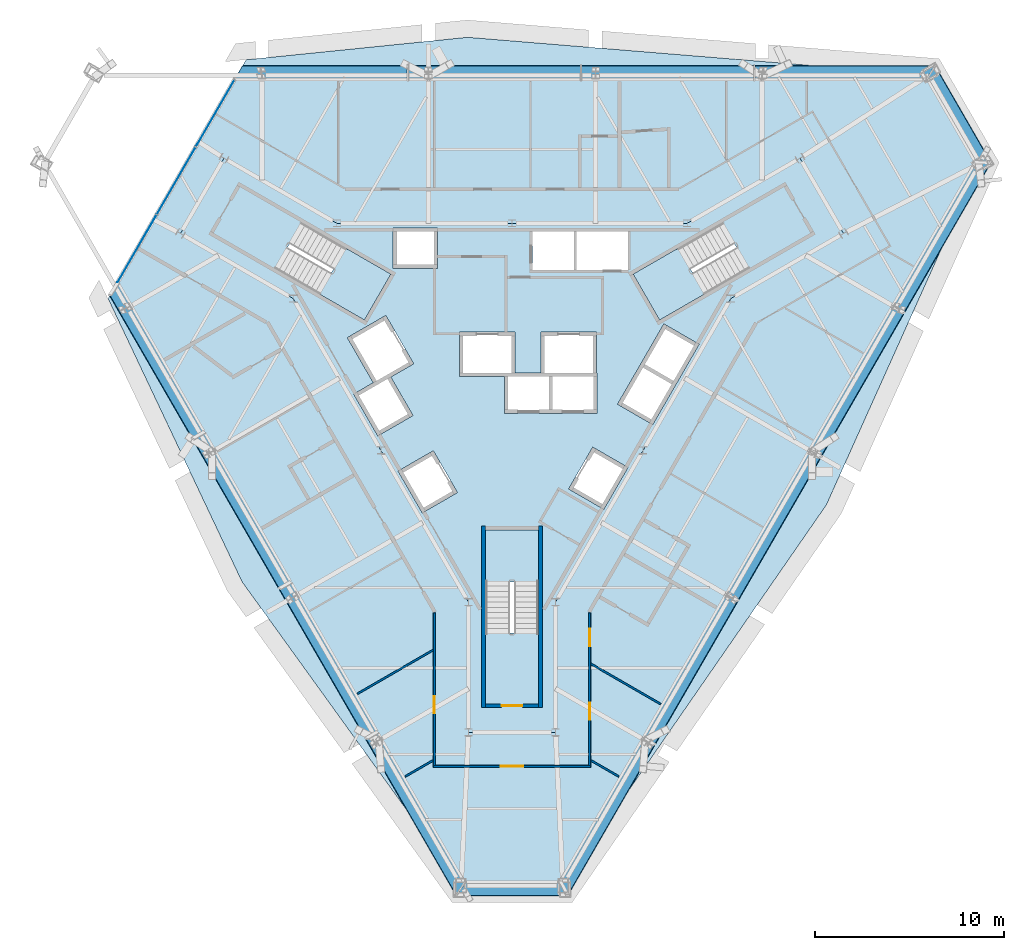
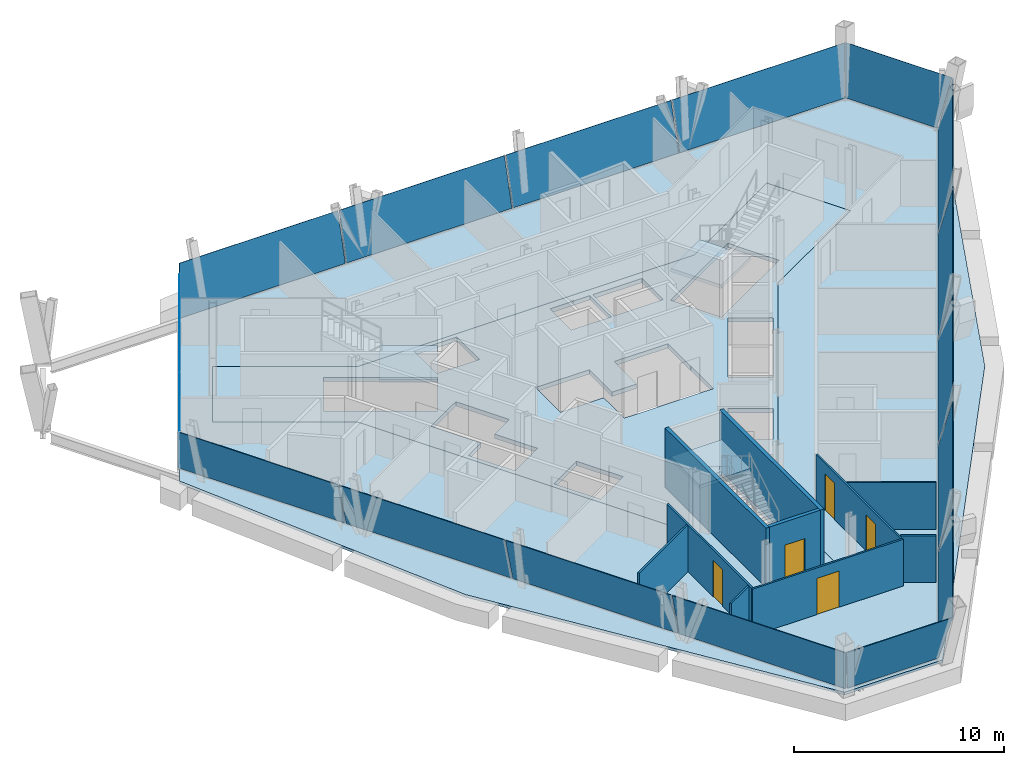
# One storey, part 6 of 11: 18 plates, 10 walls, 5 doors, 5 slabs, 5 openings, 9 elements without a shape of their own.
"""IFC4 building model written with IfcOpenShell, lengths in metres."""

import ifcopenshell
import ifcopenshell.guid

model = None  # the IFC model being written
_history = None  # IfcOwnerHistory: only IFC2X3 demands one
_inside = {}  # id of a spatial element -> (the spatial element, [elements in it])
_under = {}  # id of a project, library or spatial element -> (it, [spatial elements below it])
_declared = {}  # id of a project -> (the project, [libraries it declares])
_typed = {}  # id of a type object -> (the type object, [elements of that type])
_made_of = {}  # id of a material, layer set ... -> (it, [elements and type objects made of it])


def new_model(schema):
    """Start an empty IFC model of exactly this schema.

    Asked for "IFC4X3", IfcOpenShell would pick the latest addendum, in which some entities
    have other attributes; the version numbers below select the first issue.
    IFC2X3 requires an IfcOwnerHistory on every rooted entity: one is made here for all.
    """
    global model, _history
    if schema == "IFC4X3":
        model = ifcopenshell.file(schema_version=(4, 3, 0, 0))
    else:
        model = ifcopenshell.file(schema=schema)
    _inside.clear()
    _under.clear()
    _declared.clear()
    _typed.clear()
    _made_of.clear()
    _history = None
    if model.schema == "IFC2X3":
        org = make("IfcOrganization", Name="unknown")
        user = make(
            "IfcPersonAndOrganization",
            ThePerson=make("IfcPerson", FamilyName="unknown"),
            TheOrganization=org,
        )
        app = make(
            "IfcApplication",
            ApplicationDeveloper=org,
            Version="unknown",
            ApplicationFullName="unknown",
            ApplicationIdentifier="unknown",
        )
        _history = make(
            "IfcOwnerHistory",
            OwningUser=user,
            OwningApplication=app,
            ChangeAction="ADDED",
            CreationDate=0,
        )
    return model


def make(cls, **values):
    """One entity of the class cls with the attributes given. An attribute that is None is left unset."""
    return model.create_entity(
        cls, **{name: value for name, value in values.items() if value is not None}
    )


def rooted(cls, **values):
    """An entity with a GlobalId (a new one), such as an element, a storey or a relation."""
    return make(cls, GlobalId=ifcopenshell.guid.new(), OwnerHistory=_history, **values)


def si_unit(unit_type, name, prefix=None):
    """IfcSIUnit, for example si_unit("LENGTHUNIT", "METRE", prefix="MILLI")."""
    return make("IfcSIUnit", UnitType=unit_type, Prefix=prefix, Name=name)


def assignment(units):
    """IfcUnitAssignment: the units of a project."""
    return None if units is None else make("IfcUnitAssignment", Units=units)


def point(xyz):
    """IfcCartesianPoint."""
    return None if xyz is None else make("IfcCartesianPoint", Coordinates=xyz)


def direction(xyz):
    """IfcDirection."""
    return None if xyz is None else make("IfcDirection", DirectionRatios=xyz)


def frame(location, z_axis=None, x_axis=None):
    """IfcAxis2Placement3D, a coordinate frame: its origin and axes. An axis left out is left unset."""
    return make(
        "IfcAxis2Placement3D",
        Location=point(location),
        Axis=direction(z_axis),
        RefDirection=direction(x_axis),
    )


def frame_2d(location, x_axis=None):
    """IfcAxis2Placement2D, a coordinate frame in the plane: its origin and x axis."""
    return make(
        "IfcAxis2Placement2D", Location=point(location), RefDirection=direction(x_axis)
    )


def origin():
    """The frame at (0, 0, 0) with its axes left unset."""
    return frame((0.0, 0.0, 0.0))


def origin_2d():
    """The frame at (0, 0) in the plane with its x axis left unset."""
    return frame_2d((0.0, 0.0))


def place(relative_to, where):
    """IfcLocalPlacement: puts the frame where relative to a parent placement (None: the world)."""
    return make(
        "IfcLocalPlacement", PlacementRelTo=relative_to, RelativePlacement=where
    )


def context(
    kind, dimensions, precision=None, world=None, true_north=None, identifier=None
):
    """IfcGeometricRepresentationContext, for example the 3D "Model" context."""
    return make(
        "IfcGeometricRepresentationContext",
        ContextIdentifier=identifier,
        ContextType=kind,
        CoordinateSpaceDimension=dimensions,
        Precision=precision,
        WorldCoordinateSystem=world,
        TrueNorth=true_north,
    )


def subcontext(parent, identifier, kind, view, scale=None):
    """IfcGeometricRepresentationSubContext, for example "Body" below "Model"."""
    return make(
        "IfcGeometricRepresentationSubContext",
        ContextIdentifier=identifier,
        ContextType=kind,
        ParentContext=parent,
        TargetScale=scale,
        TargetView=view,
    )


def project(units=None, contexts=None):
    """IfcProject with its units and contexts."""
    return rooted(
        "IfcProject",
        Name="project",
        RepresentationContexts=contexts,
        UnitsInContext=assignment(units),
    )


def spatial(cls, under=None, at=None, **own):
    """A site, building, storey or space (cls), placed at a placement, below another one or the project."""
    s = rooted(cls, ObjectPlacement=at, **own)
    if under is not None:
        _under.setdefault(under.id(), (under, []))[1].append(s)
    return s


def polyline(points):
    """IfcPolyline through the points."""
    return make("IfcPolyline", Points=[point(p) for p in points])


def profile(cls, at=None, kind="AREA", **sizes):
    """A parametric profile (cls). Its sizes go by their IFC names, for example OverallWidth=200.0."""
    return make(cls, ProfileType=kind, Position=at, **sizes)


def rectangle(**sizes):
    """IfcRectangleProfileDef."""
    return profile("IfcRectangleProfileDef", **sizes)


def outline(outer, holes=None, kind="AREA"):
    """IfcArbitraryClosedProfileDef: a profile drawn as a closed curve; with holes, ...WithVoids."""
    if holes is None:
        return make("IfcArbitraryClosedProfileDef", ProfileType=kind, OuterCurve=outer)
    return make(
        "IfcArbitraryProfileDefWithVoids",
        ProfileType=kind,
        OuterCurve=outer,
        InnerCurves=holes,
    )


def extrude(swept, where, along, depth):
    """IfcExtrudedAreaSolid: the profile swept, set in the frame where, extruded along a direction by depth."""
    return make(
        "IfcExtrudedAreaSolid",
        SweptArea=swept,
        Position=where,
        ExtrudedDirection=direction(along),
        Depth=depth,
    )


def shape(context_of_items, identifier, shape_type, items):
    """IfcShapeRepresentation: the items that make up one representation, for example the "Body"."""
    return make(
        "IfcShapeRepresentation",
        ContextOfItems=context_of_items,
        RepresentationIdentifier=identifier,
        RepresentationType=shape_type,
        Items=items,
    )


def material(Name=None, Category=None):
    """IfcMaterial."""
    return make("IfcMaterial", Name=Name, Category=Category)


def layer(
    of_material, thickness, ventilated=None, Name=None, Category=None, Priority=None
):
    """IfcMaterialLayer: one layer of a wall or slab, of a material (None: an air gap)."""
    return make(
        "IfcMaterialLayer",
        Material=of_material,
        LayerThickness=thickness,
        IsVentilated=ventilated,
        Name=Name,
        Category=Category,
        Priority=Priority,
    )


def layer_set(layers, Name=None):
    """IfcMaterialLayerSet."""
    return make("IfcMaterialLayerSet", MaterialLayers=layers, LayerSetName=Name)


def made_of(thing, what):
    """Note that an element or type object is made of a material, layer set ...; save() writes the relation."""
    if what is not None:
        _made_of.setdefault(what.id(), (what, []))[1].append(thing)
    return thing


def type_object(cls, material=None, **own):
    """A type object (cls), such as IfcWallType, which elements share."""
    return made_of(rooted(cls, **own), material)


def element(
    cls,
    number,
    at=None,
    inside=None,
    cuts=None,
    type_object=None,
    material=None,
    context=None,
    identifier="Body",
    shape_type=None,
    held_by="IfcProductDefinitionShape",
    body=None,
    shapes=None,
    **own,
):
    """One element of the class cls, such as IfcWall. Its Tag is "e" and its number.

    at: its placement. inside: the storey or other place that contains it. cuts: it is an
    opening in that element (IfcRelVoidsElement). A single representation is given by context,
    identifier, shape_type and body (its items); several are given by shapes. held_by: the class
    of the entity that holds the representations. save() writes the other relations.
    """
    e = rooted(cls, Tag="e%d" % number, ObjectPlacement=at, **own)
    if body is not None:
        shapes = [shape(context, identifier, shape_type, body)]
    if shapes is not None:
        e.Representation = make(held_by, Representations=shapes)
    if inside is not None:
        _inside.setdefault(inside.id(), (inside, []))[1].append(e)
    if cuts is not None:
        rooted(
            "IfcRelVoidsElement", RelatingBuildingElement=cuts, RelatedOpeningElement=e
        )
    if type_object is not None:
        _typed.setdefault(type_object.id(), (type_object, []))[1].append(e)
    return made_of(e, material)


def fill(opening, filler):
    """IfcRelFillsElement: the door or window that sits in an opening."""
    return rooted(
        "IfcRelFillsElement",
        RelatingOpeningElement=opening,
        RelatedBuildingElement=filler,
    )


def aggregate(whole, parts):
    """IfcRelAggregates: a whole, such as a stair, and the parts it consists of."""
    return rooted("IfcRelAggregates", RelatingObject=whole, RelatedObjects=parts)


def save(model, path):
    """Write the relations noted so far, then the file.

    IfcRelAggregates (storeys below a building ...), IfcRelContainedInSpatialStructure (elements
    in a storey), IfcRelDefinesByType, IfcRelAssociatesMaterial and IfcRelDeclares: one each for
    every whole, place, type object, material and project.
    """
    for whole, parts in _under.values():
        aggregate(whole, parts)
    for where, things in _inside.values():
        rooted(
            "IfcRelContainedInSpatialStructure",
            RelatedElements=things,
            RelatingStructure=where,
        )
    for kind, things in _typed.values():
        rooted("IfcRelDefinesByType", RelatedObjects=things, RelatingType=kind)
    for what, things in _made_of.values():
        rooted("IfcRelAssociatesMaterial", RelatedObjects=things, RelatingMaterial=what)
    for by, libraries in _declared.values():
        rooted("IfcRelDeclares", RelatingContext=by, RelatedDefinitions=libraries)
    model.write(path)


model = new_model("IFC4")

# Units and contexts
model_context = context("Model", 3, precision=1e-05, world=origin(), true_north=direction((0.0, 1.0)))
body_context = subcontext(model_context, "Body", "Model", "MODEL_VIEW")
ifc_project = project(units=[si_unit("LENGTHUNIT", "METRE"), si_unit("AREAUNIT", "SQUARE_METRE"), si_unit("VOLUMEUNIT", "CUBIC_METRE"), si_unit("PLANEANGLEUNIT", "RADIAN"), si_unit("MASSUNIT", "GRAM", prefix="KILO")], contexts=[model_context])

# Site, building, storey
site_placement = place(None, origin())
site = spatial("IfcSite", under=ifc_project, at=site_placement, CompositionType="ELEMENT")
building_placement = place(site_placement, origin())
building = spatial("IfcBuilding", under=site, at=building_placement, Name="Verrane Prism Tower", CompositionType="ELEMENT")
storey_placement = place(building_placement, frame((0.0, 0.0, 232.300048828125)))
storey = spatial("IfcBuildingStorey", under=building, at=storey_placement, Name="L58", CompositionType="ELEMENT", Elevation=232.300048828125)

# Slabs
ifc_material_1 = material(Name="Concrete C35/45", Category="concrete")
ifc_layer_1 = layer(ifc_material_1, 0.159912109375)
ifc_layer_set_1 = layer_set([ifc_layer_1], Name="Composite floor slab")
slab_type_1 = type_object("IfcSlabType", Name="Composite floor slab", PredefinedType="FLOOR", material=ifc_layer_set_1)
slab_1_placement = place(storey_placement, frame((0.0, 0.0, -0.16015625)))
element("IfcSlab", 1, at=slab_1_placement, inside=storey, type_object=slab_type_1, Name="Floor slab L58", PredefinedType="FLOOR", context=body_context, shape_type="SweptSolid", body=[
    extrude(outline(polyline([(-2.349609375, 17.830078125), (22.0283203125, 15.830078125), (24.723388671875, 11.162109375), (16.6162109375, -6.880126953125), (2.695068359375, -26.9921875), (-2.695068359375, -26.9921875), (-14.266357421875, -10.949951171875), (-21.34375, 4.015625), (-14.054931640625, 16.640380859375), (-2.349609375, 17.830078125)]), holes=[polyline([(17.52001953125, 7.4599609375), (15.219970703125, 11.43994140625), (9.260009765625, 8.0), (0.0, 8.0), (-9.260009765625, 8.0), (-15.219970703125, 11.43994140625), (-17.52001953125, 7.4599609375), (-11.56005859375, 4.02001953125), (-6.929931640625, -4.0), (-2.300048828125, -12.02001953125), (-2.300048828125, -18.89990234375), (2.300048828125, -18.89990234375), (2.300048828125, -12.02001953125), (6.929931640625, -4.0), (11.56005859375, 4.02001953125), (17.52001953125, 7.4599609375)])]), origin(), (0.0, 0.0, 1.0), 0.16015625),
])
ifc_material_2 = material(Name="Concrete C40/50", Category="concrete")
ifc_layer_2 = layer(ifc_material_2, 0.25)
ifc_layer_set_2 = layer_set([ifc_layer_2], Name="Core floor slab 250 concrete C40/50")
slab_type_2 = type_object("IfcSlabType", Name="Core floor slab 250 concrete C40/50", PredefinedType="FLOOR", material=ifc_layer_set_2)
slab_2_placement = place(storey_placement, frame((0.0, 0.0, -0.25)))
element("IfcSlab", 2, at=slab_2_placement, inside=storey, type_object=slab_type_2, Name="Core floor L58", PredefinedType="FLOOR", context=body_context, shape_type="SweptSolid", body=[
    extrude(outline(polyline([(11.56005859375, 4.02001953125), (17.52001953125, 7.4599609375), (15.219970703125, 11.43994140625), (9.260009765625, 8.0), (0.0, 8.0), (-9.260009765625, 8.0), (-15.219970703125, 11.43994140625), (-17.52001953125, 7.4599609375), (-11.56005859375, 4.02001953125), (-6.929931640625, -4.0), (-2.300048828125, -12.02001953125), (-2.300048828125, -18.89990234375), (2.300048828125, -18.89990234375), (2.300048828125, -12.02001953125), (6.929931640625, -4.0), (11.56005859375, 4.02001953125)]), holes=[polyline([(1.39990234375, -8.199951171875), (1.39990234375, -13.639892578125), (-1.39990234375, -13.639892578125), (-1.39990234375, -8.199951171875), (1.39990234375, -8.199951171875)]), polyline([(-2.881103515625, -6.22998046875), (-4.742919921875, -7.304931640625), (-6.01806640625, -5.096923828125), (-4.156005859375, -4.02197265625), (-2.881103515625, -6.22998046875)]), polyline([(-7.801025390625, 2.887939453125), (-12.512939453125, 5.60791015625), (-11.113037109375, 8.031982421875), (-6.40087890625, 5.31201171875), (-7.801025390625, 2.887939453125)]), polyline([(-6.284912109375, 5.610107421875), (-6.284912109375, 7.760009765625), (-3.93505859375, 7.760009765625), (-3.93505859375, 5.610107421875), (-6.284912109375, 5.610107421875)]), polyline([(4.26611328125, -3.8310546875), (6.1279296875, -4.906005859375), (4.85302734375, -7.114990234375), (2.990966796875, -6.0400390625), (4.26611328125, -3.8310546875)]), polyline([(7.43798828125, -2.636962890625), (5.575927734375, -1.56201171875), (8.02587890625, 2.680908203125), (9.887939453125, 1.60595703125), (7.43798828125, -2.636962890625)]), polyline([(0.1650390625, 0.10009765625), (1.52490234375, 0.10009765625), (1.52490234375, 2.25), (4.47509765625, 2.25), (4.47509765625, 0.10009765625), (4.4951171875, 0.10009765625), (4.4951171875, -2.050048828125), (-0.405029296875, -2.050048828125), (-0.405029296875, -0.10009765625), (-2.784912109375, -0.10009765625), (-2.784912109375, 2.25), (0.1650390625, 2.25), (0.1650390625, 0.10009765625)]), polyline([(6.40087890625, 5.31201171875), (11.113037109375, 8.031982421875), (12.512939453125, 5.60791015625), (7.801025390625, 2.887939453125), (6.40087890625, 5.31201171875)]), polyline([(1.074951171875, 5.534912109375), (1.074951171875, 7.56005859375), (3.264892578125, 7.56005859375), (3.264892578125, 5.534912109375), (1.074951171875, 5.534912109375)]), polyline([(3.4150390625, 7.56005859375), (6.125, 7.56005859375), (6.125, 5.534912109375), (3.4150390625, 5.534912109375), (3.4150390625, 7.56005859375)]), polyline([(-5.23095703125, -2.159912109375), (-7.093017578125, -3.235107421875), (-8.367919921875, -1.02587890625), (-7.3291015625, -0.426025390625), (-8.7041015625, 1.955078125), (-6.66796875, 3.1298828125), (-5.193115234375, 0.574951171875), (-6.406005859375, -0.125), (-5.23095703125, -2.159912109375)])]), origin(), (0.0, 0.0, 1.0), 0.25),
])

# Curtain wall, plates
ifc_material_3 = material(Name="Aluminium framed insulated glazing", Category="aluminium")
curtain_wall_type_1 = type_object("IfcCurtainWallType", Name="Curtain wall CW-C 4200 module", PredefinedType="NOTDEFINED", material=ifc_material_3)
curtain_wall_1_placement = place(storey_placement, origin())
curtain_wall_1 = element("IfcCurtainWall", 3, at=curtain_wall_1_placement, inside=storey, type_object=curtain_wall_type_1, Name="Glazed curtain wall garden cut line L58 1", PredefinedType="NOTDEFINED")
ifc_material_4 = material(Name="Low-iron insulating glass unit", Category="glass")
ifc_layer_3 = layer(ifc_material_4, 0.02392578125)
ifc_layer_set_3 = layer_set([ifc_layer_3], Name="Glazing panel IGU 24")
plate_type_1 = type_object("IfcPlateType", Name="Glazing panel IGU 24", PredefinedType="CURTAIN_PANEL", material=ifc_layer_set_3)
plate_1_placement = place(storey_placement, frame((-15.69140625, 13.8056640625, 0.0498046875), z_axis=(0.0, 0.0, 1.0), x_axis=(-0.500000763519, -0.866024962966, 0.0)))
plate_1 = element("IfcPlate", 4, at=plate_1_placement, type_object=plate_type_1, Name="CW57.3.1 panel 1", PredefinedType="CURTAIN_PANEL", context=body_context, shape_type="SweptSolid", body=[
    extrude(rectangle(XDim=4.0478515625, YDim=0.02392578125, at=origin_2d()), origin(), (0.0, 0.0, 1.0), 2.662841796875),
])
plate_2_placement = place(storey_placement, frame((-17.74658203125, 10.24609375, 0.0498046875), z_axis=(0.0, 0.0, 1.0), x_axis=(-0.500000763519, -0.866024962966, 0.0)))
plate_2 = element("IfcPlate", 5, at=plate_2_placement, type_object=plate_type_1, Name="CW57.3.1 panel 2", PredefinedType="CURTAIN_PANEL", context=body_context, shape_type="SweptSolid", body=[
    extrude(rectangle(XDim=4.07275390625, YDim=0.02392578125, at=origin_2d()), origin(), (0.0, 0.0, 1.0), 2.662841796875),
])
plate_3_placement = place(storey_placement, frame((-19.814453125, 6.664794921875, 0.0498046875), z_axis=(0.0, 0.0, 1.0), x_axis=(-0.500000763519, -0.866024962966, 0.0)))
plate_3 = element("IfcPlate", 6, at=plate_3_placement, type_object=plate_type_1, Name="CW57.3.1 panel 3", PredefinedType="CURTAIN_PANEL", context=body_context, shape_type="SweptSolid", body=[
    extrude(rectangle(XDim=4.097900390625, YDim=0.02392578125, at=origin_2d()), origin(), (0.0, 0.0, 1.0), 2.662841796875),
])
aggregate(curtain_wall_1, [plate_1, plate_2, plate_3])

# Curtain wall, plate
ifc_material_5 = material(Name="Aluminium framed insulated glazing", Category="aluminium")
curtain_wall_type_2 = type_object("IfcCurtainWallType", Name="Curtain wall CW-A 8400 module", PredefinedType="NOTDEFINED", material=ifc_material_5)
curtain_wall_2_placement = place(storey_placement, origin())
curtain_wall_2 = element("IfcCurtainWall", 7, at=curtain_wall_2_placement, inside=storey, type_object=curtain_wall_type_2, Name="Glazed curtain wall north-east corner L58", PredefinedType="NOTDEFINED")
ifc_material_6 = material(Name="Low-iron insulating glass unit", Category="glass")
ifc_layer_4 = layer(ifc_material_6, 0.031982421875)
ifc_layer_set_4 = layer_set([ifc_layer_4], Name="Glazing panel IGU 32")
plate_type_2 = type_object("IfcPlateType", Name="Glazing panel IGU 32", PredefinedType="CURTAIN_PANEL", material=ifc_layer_set_4)
plate_4_placement = place(storey_placement, frame((24.4541015625, 11.2734375, 0.070068359375), z_axis=(-0.837152306622, -0.483309138319, 0.2561021131), x_axis=(-0.499982770506, 0.866035350999, 4.176633e-06)))
plate_4 = element("IfcPlate", 8, at=plate_4_placement, type_object=plate_type_2, Name="CW57.1 panel 1", PredefinedType="CURTAIN_PANEL", context=body_context, shape_type="SweptSolid", body=[
    extrude(outline(polyline([(0.0, 0.0), (4.9978672836883575, -1.1102230246251565e-16), (5.401919308935413, -2.7339786188040103), (-0.438945031430294, -2.7340254500467003), (0.0, 0.0)])), origin(), (0.0, 0.0, -1.0), 0.031982421875),
])
aggregate(curtain_wall_2, [plate_4])

# Curtain wall, plates
curtain_wall_3_placement = place(storey_placement, origin())
curtain_wall_3 = element("IfcCurtainWall", 9, at=curtain_wall_3_placement, inside=storey, type_object=curtain_wall_type_2, Name="Glazed curtain wall north face L58", PredefinedType="NOTDEFINED")
plate_5_placement = place(storey_placement, frame((21.88525390625, 15.601806640625, 0.070068359375), z_axis=(0.0, -0.966670784166, 0.256022645562), x_axis=(-1.0, 0.0, 0.0)))
plate_5 = element("IfcPlate", 10, at=plate_5_placement, type_object=plate_type_2, Name="CW57.2 panel 1", PredefinedType="CURTAIN_PANEL", context=body_context, shape_type="SweptSolid", body=[
    extrude(outline(polyline([(0.0, 0.0), (9.04736328125, 0.0), (9.04736328125, -2.733942422709821), (-0.439453125, -2.733942422709821), (0.0, 0.0)])), origin(), (0.0, 0.0, -1.0), 0.031982421875),
])
plate_6_placement = place(storey_placement, frame((12.767822265625, 15.601806640625, 0.070068359375), z_axis=(0.0, -0.966670784166, 0.256022645562), x_axis=(-1.0, 0.0, 0.0)))
plate_6 = element("IfcPlate", 11, at=plate_6_placement, type_object=plate_type_2, Name="CW57.2 panel 2", PredefinedType="CURTAIN_PANEL", context=body_context, shape_type="SweptSolid", body=[
    extrude(outline(polyline([(0.0, 0.0), (9.08251953125, 0.0), (9.08251953125, -2.733942422709821), (0.0, -2.733942422709821), (0.0, 0.0)])), origin(), (0.0, 0.0, -1.0), 0.031982421875),
])
plate_7_placement = place(storey_placement, frame((3.615478515625, 15.601806640625, 0.070068359375), z_axis=(0.0, -0.966670784166, 0.256022645562), x_axis=(-1.0, 0.0, 0.0)))
plate_7 = element("IfcPlate", 12, at=plate_7_placement, type_object=plate_type_2, Name="CW57.2 panel 3", PredefinedType="CURTAIN_PANEL", context=body_context, shape_type="SweptSolid", body=[
    extrude(outline(polyline([(0.0, 0.0), (9.08251953125, 0.0), (9.08251953125, -2.733942422709821), (0.0, -2.733942422709821), (0.0, 0.0)])), origin(), (0.0, 0.0, -1.0), 0.031982421875),
])
plate_8_placement = place(storey_placement, frame((-5.537109375, 15.601806640625, 0.070068359375), z_axis=(0.0, -0.966670784166, 0.256022645562), x_axis=(-1.0, 0.0, 0.0)))
plate_8 = element("IfcPlate", 13, at=plate_8_placement, type_object=plate_type_2, Name="CW57.2 panel 4", PredefinedType="CURTAIN_PANEL", context=body_context, shape_type="SweptSolid", body=[
    extrude(outline(polyline([(0.0, 0.0), (9.117431640625, 0.0), (8.71337890625, -2.733942422709821), (0.0, -2.733942422709821), (0.0, 0.0)])), origin(), (0.0, 0.0, -1.0), 0.031982421875),
])
aggregate(curtain_wall_3, [plate_5, plate_6, plate_7, plate_8])

curtain_wall_4_placement = place(storey_placement, origin())
curtain_wall_4 = element("IfcCurtainWall", 14, at=curtain_wall_4_placement, inside=storey, type_object=curtain_wall_type_2, Name="Glazed curtain wall south-west face L58", PredefinedType="NOTDEFINED")
plate_9_placement = place(storey_placement, frame((-20.8037109375, 4.82958984375, 0.070068359375), z_axis=(0.837143074702, 0.483337389521, 0.256078972915), x_axis=(0.500009271924, -0.866020050567, 2.230702e-06)))
plate_9 = element("IfcPlate", 15, at=plate_9_placement, type_object=plate_type_2, Name="CW57.4 panel 1", PredefinedType="CURTAIN_PANEL", context=body_context, shape_type="SweptSolid", body=[
    extrude(outline(polyline([(0.0, 0.0), (9.047327461509962, 2.220446049250313e-16), (9.047418740240403, -2.7339637420482754), (0.3690188291443981, -2.734004646805045), (0.0, 0.0)])), origin(), (0.0, 0.0, -1.0), 0.031982421875),
])
plate_10_placement = place(storey_placement, frame((-16.2451171875, -3.066162109375, 0.070068359375), z_axis=(0.837155726258, 0.483330239746, 0.256051106891), x_axis=(0.499998569178, -0.866026229868, 0.0)))
plate_10 = element("IfcPlate", 16, at=plate_10_placement, type_object=plate_type_2, Name="CW57.4 panel 2", PredefinedType="CURTAIN_PANEL", context=body_context, shape_type="SweptSolid", body=[
    extrude(outline(polyline([(0.0, 0.0), (9.082545522260212, 2.220446049250313e-16), (9.082639557016535, -2.7339637430908055), (9.403475632387544e-05, -2.733963743090806), (0.0, 0.0)])), origin(), (0.0, 0.0, -1.0), 0.031982421875),
])
plate_11_placement = place(storey_placement, frame((-11.6689453125, -10.992431640625, 0.070068359375), z_axis=(0.837155726258, 0.483330239746, 0.256051106891), x_axis=(0.499998569178, -0.866026229868, 0.0)))
plate_11 = element("IfcPlate", 17, at=plate_11_placement, type_object=plate_type_2, Name="CW57.4 panel 3", PredefinedType="CURTAIN_PANEL", context=body_context, shape_type="SweptSolid", body=[
    extrude(outline(polyline([(0.0, 0.0), (9.082545522260212, 2.220446049250313e-16), (9.082639557016535, -2.7339637430908055), (9.403475632387544e-05, -2.733963743090806), (0.0, 0.0)])), origin(), (0.0, 0.0, -1.0), 0.031982421875),
])
plate_12_placement = place(storey_placement, frame((-7.092529296875, -18.918701171875, 0.070068359375), z_axis=(0.837148687243, 0.483324916636, 0.256084166645), x_axis=(0.499996877727, -0.866027206416, 3.11433e-06)))
plate_12 = element("IfcPlate", 18, at=plate_12_placement, type_object=plate_type_2, Name="CW57.4 panel 4", PredefinedType="CURTAIN_PANEL", context=body_context, shape_type="SweptSolid", body=[
    extrude(outline(polyline([(0.0, 0.0), (9.117430080771658, 0.0), (9.52180139619744, -2.733957834797848), (-1.8436926986451878e-05, -2.7340178860084055), (0.0, 0.0)])), origin(), (0.0, 0.0, -1.0), 0.031982421875),
])
aggregate(curtain_wall_4, [plate_9, plate_10, plate_11, plate_12])

# Curtain wall, plate
curtain_wall_5_placement = place(storey_placement, origin())
curtain_wall_5 = element("IfcCurtainWall", 19, at=curtain_wall_5_placement, inside=storey, type_object=curtain_wall_type_2, Name="Glazed curtain wall south corner L58", PredefinedType="NOTDEFINED")
plate_13_placement = place(storey_placement, frame((-2.4638671875, -26.814697265625, 0.070068359375), z_axis=(0.0, 0.966648680287, 0.256106089151), x_axis=(1.0, 0.0, 0.0)))
plate_13 = element("IfcPlate", 20, at=plate_13_placement, type_object=plate_type_2, Name="CW57.5 panel 1", PredefinedType="CURTAIN_PANEL", context=body_context, shape_type="SweptSolid", body=[
    extrude(outline(polyline([(0.0, 0.0), (4.997802734375, 0.0), (5.40185546875, -2.7340049384246234), (-0.43896484375, -2.7340049384246234), (0.0, 0.0)])), origin(), (0.0, 0.0, -1.0), 0.031982421875),
])
aggregate(curtain_wall_5, [plate_13])

# Curtain wall, plates
curtain_wall_6_placement = place(storey_placement, origin())
curtain_wall_6 = element("IfcCurtainWall", 21, at=curtain_wall_6_placement, inside=storey, type_object=curtain_wall_type_2, Name="Glazed curtain wall south-east face L58", PredefinedType="NOTDEFINED")
plate_14_placement = place(storey_placement, frame((2.56884765625, -26.754150390625, 0.070068359375), z_axis=(-0.837154182438, 0.483341878963, 0.256034183006), x_axis=(0.500007967162, 0.866020803891, -1.412357e-06)))
plate_14 = element("IfcPlate", 22, at=plate_14_placement, type_object=plate_type_2, Name="CW57.6 panel 1", PredefinedType="CURTAIN_PANEL", context=body_context, shape_type="SweptSolid", body=[
    extrude(outline(polyline([(0.0, 0.0), (8.677187970754407, -1.1102230246251565e-16), (8.677097800081205, -2.7339637428019667), (-0.4393644829067092, -2.733937745262383), (0.0, 0.0)])), origin(), (0.0, 0.0, -1.0), 0.031982421875),
])
plate_15_placement = place(storey_placement, frame((6.9423828125, -19.178955078125, 0.070068359375), z_axis=(-0.837157843786, 0.483348673527, 0.256009383398), x_axis=(0.50001192258, 0.86601852017, 0.0)))
plate_15 = element("IfcPlate", 23, at=plate_15_placement, type_object=plate_type_2, Name="CW57.6 panel 2", PredefinedType="CURTAIN_PANEL", context=body_context, shape_type="SweptSolid", body=[
    extrude(outline(polyline([(0.0, 0.0), (8.71219460008204, -2.220446049250313e-16), (8.712322789623299, -2.733932489003431), (0.00012818954126038858, -2.7339324890034304), (0.0, 0.0)])), origin(), (0.0, 0.0, -1.0), 0.031982421875),
])
plate_16_placement = place(storey_placement, frame((11.33349609375, -11.5732421875, 0.070068359375), z_axis=(-0.837149672483, 0.483351775887, 0.256030245497), x_axis=(0.500018387593, 0.866014787441, 1.733994e-06)))
plate_16 = element("IfcPlate", 24, at=plate_16_placement, type_object=plate_type_2, Name="CW57.6 panel 3", PredefinedType="CURTAIN_PANEL", context=body_context, shape_type="SweptSolid", body=[
    extrude(outline(polyline([(0.0, 0.0), (8.711983170434712, 2.220446049250313e-16), (8.712121167621223, -2.733932487889283), (-7.343220495274851e-05, -2.733963743085119), (0.0, 0.0)])), origin(), (0.0, 0.0, -1.0), 0.031982421875),
])
plate_17_placement = place(storey_placement, frame((15.724609375, -3.9677734375, 0.070068359375), z_axis=(-0.837160003487, 0.48332283142, 0.256051106597), x_axis=(0.499990905326, 0.866030654533, 0.0)))
plate_17 = element("IfcPlate", 25, at=plate_17_placement, type_object=plate_type_2, Name="CW57.6 panel 4", PredefinedType="CURTAIN_PANEL", context=body_context, shape_type="SweptSolid", body=[
    extrude(outline(polyline([(0.0, 0.0), (8.712072529424319, -2.220446049250313e-16), (8.711972299766794, -2.7339637428707144), (-0.0001002296575252637, -2.733963742870714), (0.0, 0.0)])), origin(), (0.0, 0.0, -1.0), 0.031982421875),
])
plate_18_placement = place(storey_placement, frame((20.11572265625, 3.6376953125, 0.070068359375), z_axis=(-0.837162067106, 0.483328546279, 0.25603357153), x_axis=(0.499994747914, 0.866028436055, 1.451648e-06)))
plate_18 = element("IfcPlate", 26, at=plate_18_placement, type_object=plate_type_2, Name="CW57.6 panel 5", PredefinedType="CURTAIN_PANEL", context=body_context, shape_type="SweptSolid", body=[
    extrude(outline(polyline([(0.0, 0.0), (8.7470791572397, -2.220446049250313e-16), (9.15146498557561, -2.7339368642392157), (-9.328714555464028e-05, -2.733963742666605), (0.0, 0.0)])), origin(), (0.0, 0.0, -1.0), 0.031982421875),
])
aggregate(curtain_wall_6, [plate_14, plate_15, plate_16, plate_17, plate_18])

# Stair, slab
ifc_material_7 = material(Name="Concrete C40/50", Category="concrete")
stair_type = type_object("IfcStairType", Name="Exit stair 1300 dog-leg precast concrete C40/50", PredefinedType="HALF_TURN_STAIR", material=ifc_material_7)
stair_1_placement = place(storey_placement, origin())
stair_1 = element("IfcStair", 27, at=stair_1_placement, inside=storey, type_object=stair_type, Name="Stair 1 L58", PredefinedType="HALF_TURN_STAIR")
ifc_material_8 = material(Name="Concrete C40/50", Category="concrete")
ifc_layer_5 = layer(ifc_material_8, 0.199951171875)
ifc_layer_set_5 = layer_set([ifc_layer_5], Name="Stair landing 200 precast concrete C40/50")
slab_type_3 = type_object("IfcSlabType", Name="Stair landing 200 precast concrete C40/50", PredefinedType="LANDING", material=ifc_layer_set_5)
slab_3_placement = place(storey_placement, frame((0.0, 0.0, 1.64990234375)))
slab_3 = element("IfcSlab", 28, at=slab_3_placement, type_object=slab_type_3, Name="Stair 1 landing 1", PredefinedType="LANDING", context=body_context, shape_type="SweptSolid", body=[
    extrude(outline(polyline([(8.791748046875, 6.6923828125), (6.4013671875, 5.3125), (7.801513671875, 2.887451171875), (10.191650390625, 4.267578125), (8.791748046875, 6.6923828125)])), origin(), (0.0, 0.0, 1.0), 0.199951171875),
])
aggregate(stair_1, [slab_3])

stair_2_placement = place(storey_placement, origin())
stair_2 = element("IfcStair", 29, at=stair_2_placement, inside=storey, type_object=stair_type, Name="Stair 2 L58", PredefinedType="HALF_TURN_STAIR")
slab_4_placement = place(storey_placement, frame((0.0, 0.0, 1.64990234375)))
slab_4 = element("IfcSlab", 30, at=slab_4_placement, type_object=slab_type_3, Name="Stair 2 landing 1", PredefinedType="LANDING", context=body_context, shape_type="SweptSolid", body=[
    extrude(outline(polyline([(-10.191650390625, 4.267578125), (-7.801513671875, 2.887451171875), (-6.4013671875, 5.3125), (-8.791748046875, 6.6923828125), (-10.191650390625, 4.267578125)])), origin(), (0.0, 0.0, 1.0), 0.199951171875),
])
aggregate(stair_2, [slab_4])

stair_3_placement = place(storey_placement, origin())
stair_3 = element("IfcStair", 31, at=stair_3_placement, inside=storey, type_object=stair_type, Name="Stair 3 L58", PredefinedType="HALF_TURN_STAIR")
slab_5_placement = place(storey_placement, frame((0.0, 0.0, 1.64990234375)))
slab_5 = element("IfcSlab", 32, at=slab_5_placement, type_object=slab_type_3, Name="Stair 3 landing 1", PredefinedType="LANDING", context=body_context, shape_type="SweptSolid", body=[
    extrude(outline(polyline([(1.39990234375, -10.9599609375), (1.39990234375, -8.199951171875), (-1.39990234375, -8.199951171875), (-1.39990234375, -10.9599609375), (1.39990234375, -10.9599609375)])), origin(), (0.0, 0.0, 1.0), 0.199951171875),
])
aggregate(stair_3, [slab_5])

# Wall, opening, door
ifc_material_9 = material(Name="Concrete C40/50", Category="concrete")
ifc_layer_6 = layer(ifc_material_9, 0.199951171875)
ifc_layer_set_6 = layer_set([ifc_layer_6], Name="CW-200 stair core wall concrete C40/50 3 h")
wall_type_1 = type_object("IfcWallType", Name="CW-200 stair core wall concrete C40/50 3 h", PredefinedType="PARTITIONING", material=ifc_layer_set_6)
wall_1_placement = place(storey_placement, frame((-1.39990234375, -17.5, 0.0), z_axis=(0.0, 0.0, 1.0), x_axis=(1.0, 0.0, 0.0)))
wall_1 = element("IfcWall", 33, at=wall_1_placement, inside=storey, type_object=wall_type_1, Name="Stair 3 enclosure wall", PredefinedType="PARTITIONING", context=body_context, shape_type="SweptSolid", body=[
    extrude(rectangle(XDim=2.7998046875, YDim=0.199951171875, at=frame_2d((1.39990234375, 0.0))), origin(), (0.0, 0.0, 1.0), 3.449951171875),
])
opening_1_placement = place(wall_1_placement, frame((0.85009765625, 0.0, 0.0)))
opening_1 = element("IfcOpeningElement", 34, at=opening_1_placement, cuts=wall_1, Name="Opening D57502", PredefinedType="OPENING", context=body_context, shape_type="SweptSolid", body=[
    extrude(rectangle(XDim=1.10009765625, YDim=2.10009765625, at=frame_2d((0.550048828125, 1.050048828125))), frame((0.0, 0.10986328125, 0.0), z_axis=(0.0, -1.0, 0.0), x_axis=(1.0, 0.0, 0.0)), (0.0, 0.0, 1.0), 0.219970703125),
])
ifc_material_10 = material(Name="Timber veneered door leaf", Category="wood")
door_type_1 = type_object("IfcDoorType", Name="DR-1100x2100 FD90 single leaf stair", OperationType="NOTDEFINED", PredefinedType="DOOR", material=ifc_material_10)
door_1_placement = place(opening_1_placement, origin())
door_1 = element("IfcDoor", 35, at=door_1_placement, inside=storey, type_object=door_type_1, Name="Stair 3 door", OperationType="SINGLE_SWING_LEFT", OverallHeight=2.10009765625, OverallWidth=1.10009765625, PredefinedType="DOOR", context=body_context, shape_type="SweptSolid", body=[
    extrude(rectangle(XDim=1.10009765625, YDim=2.10009765625, at=frame_2d((0.550048828125, 1.050048828125))), frame((0.0, 0.02490234375, 0.0), z_axis=(0.0, -1.0, 0.0), x_axis=(1.0, 0.0, 0.0)), (0.0, 0.0, 1.0), 0.050048828125),
])
fill(opening_1, door_1)

# Walls
for number, where, z_axis, x_axis, name in (
    (36, (1.5, -8.0, 0.0), (0.0, 0.0, 1.0), (0.0, -1.0, 0.0), "Stair 3 enclosure wall"),
    (37, (-1.5, -8.0, 0.0), (0.0, 0.0, 1.0), (0.0, -1.0, 0.0), "Stair 3 enclosure wall"),
):
    element("IfcWall", number, at=place(storey_placement, frame(where, z_axis=z_axis, x_axis=x_axis)), inside=storey, type_object=wall_type_1, Name=name, PredefinedType="PARTITIONING", context=body_context, shape_type="SweptSolid", body=[
        extrude(rectangle(XDim=9.60009765625, YDim=0.199951171875, at=frame_2d((4.800048828125, 0.0))), origin(), (0.0, 0.0, 1.0), 3.449951171875),
    ])
ifc_material_11 = material(Name="Gypsum board partition", Category="other")
ifc_layer_7 = layer(ifc_material_11, 0.10009765625)
ifc_layer_set_7 = layer_set([ifc_layer_7], Name="PW-100 room partition")
wall_type_2 = type_object("IfcWallType", Name="PW-100 room partition", PredefinedType="PARTITIONING", material=ifc_layer_set_7)
wall_2_placement = place(storey_placement, frame((-8.16796875, -16.8642578125, 0.0), z_axis=(0.0, 0.0, 1.0), x_axis=(0.865969539539, 0.50009674723, 0.0)))
element("IfcWall", 38, at=wall_2_placement, inside=storey, type_object=wall_type_2, Name="Room partition 014", PredefinedType="PARTITIONING", context=body_context, shape_type="SweptSolid", body=[
    extrude(rectangle(XDim=4.61083984375, YDim=0.10009765625, at=frame_2d((2.305419921875, 0.0))), origin(), (0.0, 0.0, 1.0), 2.712890625),
])
wall_3_placement = place(storey_placement, frame((-5.643798828125, -21.236083984375, 0.0), z_axis=(0.0, 0.0, 1.0), x_axis=(0.866046548355, 0.49996337474, 0.0)))
element("IfcWall", 39, at=wall_3_placement, inside=storey, type_object=wall_type_2, Name="Room partition 015", PredefinedType="PARTITIONING", context=body_context, shape_type="SweptSolid", body=[
    extrude(rectangle(XDim=1.696044921875, YDim=0.10009765625, at=frame_2d((0.84814453125, 0.0))), origin(), (0.0, 0.0, 1.0), 2.712890625),
])

# Wall, opening, door
wall_4_placement = place(storey_placement, frame((-4.10009765625, -20.64990234375, 0.0), z_axis=(0.0, 0.0, 1.0), x_axis=(0.0, 1.0, 0.0)))
wall_4 = element("IfcWall", 40, at=wall_4_placement, inside=storey, type_object=wall_type_2, Name="Room partition 017", PredefinedType="PARTITIONING", context=body_context, shape_type="SweptSolid", body=[
    extrude(rectangle(XDim=8.06298828125, YDim=0.10009765625, at=frame_2d((4.031494140625, 0.0))), origin(), (0.0, 0.0, 1.0), 2.712890625),
])
opening_2_placement = place(wall_4_placement, frame((2.7548828125, 0.0, 0.0)))
opening_2 = element("IfcOpeningElement", 41, at=opening_2_placement, cuts=wall_4, Name="Opening D57017", PredefinedType="OPENING", context=body_context, shape_type="SweptSolid", body=[
    extrude(rectangle(XDim=0.89990234375, YDim=2.10009765625, at=frame_2d((0.449951171875, 1.050048828125))), frame((0.0, 0.06005859375, 0.0), z_axis=(0.0, -1.0, 0.0), x_axis=(1.0, 0.0, 0.0)), (0.0, 0.0, 1.0), 0.1201171875),
])
ifc_material_12 = material(Name="Timber veneered door leaf", Category="wood")
door_type_2 = type_object("IfcDoorType", Name="DR-900x2100 single leaf unit", OperationType="NOTDEFINED", PredefinedType="DOOR", material=ifc_material_12)
door_2_placement = place(opening_2_placement, origin())
door_2 = element("IfcDoor", 42, at=door_2_placement, inside=storey, type_object=door_type_2, Name="Study door", OperationType="SINGLE_SWING_LEFT", OverallHeight=2.10009765625, OverallWidth=0.89990234375, PredefinedType="DOOR", context=body_context, shape_type="SweptSolid", body=[
    extrude(rectangle(XDim=0.89990234375, YDim=2.10009765625, at=frame_2d((0.449951171875, 1.050048828125))), frame((0.0, 0.02490234375, 0.0), z_axis=(0.0, -1.0, 0.0), x_axis=(1.0, 0.0, 0.0)), (0.0, 0.0, 1.0), 0.050048828125),
])
fill(opening_2, door_2)

wall_5_placement = place(storey_placement, frame((4.14990234375, -20.699951171875, 0.0), z_axis=(0.0, 0.0, 1.0), x_axis=(-1.0, 0.0, 0.0)))
wall_5 = element("IfcWall", 43, at=wall_5_placement, inside=storey, type_object=wall_type_2, Name="Room partition 018", PredefinedType="PARTITIONING", context=body_context, shape_type="SweptSolid", body=[
    extrude(rectangle(XDim=8.2998046875, YDim=0.10009765625, at=frame_2d((4.14990234375, 0.0))), origin(), (0.0, 0.0, 1.0), 2.712890625),
])
opening_3_placement = place(wall_5_placement, frame((3.550048828125, 0.0, 0.0)))
opening_3 = element("IfcOpeningElement", 44, at=opening_3_placement, cuts=wall_5, Name="Opening D57018", PredefinedType="OPENING", context=body_context, shape_type="SweptSolid", body=[
    extrude(rectangle(XDim=1.199951171875, YDim=2.10009765625, at=frame_2d((0.60009765625, 1.050048828125))), frame((0.0, 0.06005859375, 0.0), z_axis=(0.0, -1.0, 0.0), x_axis=(1.0, 0.0, 0.0)), (0.0, 0.0, 1.0), 0.1201171875),
])
ifc_material_13 = material(Name="Timber veneered door leaf", Category="wood")
door_type_3 = type_object("IfcDoorType", Name="DR-1200x2100 single leaf unit", OperationType="NOTDEFINED", PredefinedType="DOOR", material=ifc_material_13)
door_3_placement = place(opening_3_placement, origin())
door_3 = element("IfcDoor", 45, at=door_3_placement, inside=storey, type_object=door_type_3, Name="Living And Dining Room door", OperationType="SINGLE_SWING_LEFT", OverallHeight=2.10009765625, OverallWidth=1.199951171875, PredefinedType="DOOR", context=body_context, shape_type="SweptSolid", body=[
    extrude(rectangle(XDim=1.199951171875, YDim=2.10009765625, at=frame_2d((0.60009765625, 1.050048828125))), frame((0.0, 0.02490234375, 0.0), z_axis=(0.0, -1.0, 0.0), x_axis=(1.0, 0.0, 0.0)), (0.0, 0.0, 1.0), 0.050048828125),
])
fill(opening_3, door_3)

# Wall, openings, doors
wall_6_placement = place(storey_placement, frame((4.10009765625, -12.5869140625, 0.0), z_axis=(0.0, 0.0, 1.0), x_axis=(0.0, -1.0, 0.0)))
wall_6 = element("IfcWall", 46, at=wall_6_placement, inside=storey, type_object=wall_type_2, Name="Room partition 022", PredefinedType="PARTITIONING", context=body_context, shape_type="SweptSolid", body=[
    extrude(rectangle(XDim=8.06298828125, YDim=0.10009765625, at=frame_2d((4.031494140625, 0.0))), origin(), (0.0, 0.0, 1.0), 2.712890625),
])
opening_4_placement = place(wall_6_placement, frame((4.758056640625, 0.0, 0.0)))
opening_4 = element("IfcOpeningElement", 47, at=opening_4_placement, cuts=wall_6, Name="Opening D57019", PredefinedType="OPENING", context=body_context, shape_type="SweptSolid", body=[
    extrude(rectangle(XDim=0.89990234375, YDim=2.10009765625, at=frame_2d((0.449951171875, 1.050048828125))), frame((0.0, 0.06005859375, 0.0), z_axis=(0.0, -1.0, 0.0), x_axis=(1.0, 0.0, 0.0)), (0.0, 0.0, 1.0), 0.1201171875),
])
opening_5_placement = place(wall_6_placement, frame((0.85400390625, 0.0, 0.0)))
opening_5 = element("IfcOpeningElement", 48, at=opening_5_placement, cuts=wall_6, Name="Opening D57020", PredefinedType="OPENING", context=body_context, shape_type="SweptSolid", body=[
    extrude(rectangle(XDim=0.89990234375, YDim=2.10009765625, at=frame_2d((0.449951171875, 1.050048828125))), frame((0.0, 0.06005859375, 0.0), z_axis=(0.0, -1.0, 0.0), x_axis=(1.0, 0.0, 0.0)), (0.0, 0.0, 1.0), 0.1201171875),
])
ifc_material_14 = material(Name="Timber veneered door leaf", Category="wood")
door_type_4 = type_object("IfcDoorType", Name="DR-900x2100 single leaf inner", OperationType="NOTDEFINED", PredefinedType="DOOR", material=ifc_material_14)
door_4_placement = place(opening_5_placement, origin())
door_4 = element("IfcDoor", 49, at=door_4_placement, inside=storey, type_object=door_type_4, Name="Master Bedroom door", OperationType="SINGLE_SWING_LEFT", OverallHeight=2.10009765625, OverallWidth=0.89990234375, PredefinedType="DOOR", context=body_context, shape_type="SweptSolid", body=[
    extrude(rectangle(XDim=0.89990234375, YDim=2.10009765625, at=frame_2d((0.449951171875, 1.050048828125))), frame((0.0, 0.02490234375, 0.0), z_axis=(0.0, -1.0, 0.0), x_axis=(1.0, 0.0, 0.0)), (0.0, 0.0, 1.0), 0.050048828125),
])
fill(opening_5, door_4)
door_5_placement = place(opening_4_placement, origin())
door_5 = element("IfcDoor", 50, at=door_5_placement, inside=storey, type_object=door_type_2, Name="Kitchen door", OperationType="SINGLE_SWING_RIGHT", OverallHeight=2.10009765625, OverallWidth=0.89990234375, PredefinedType="DOOR", context=body_context, shape_type="SweptSolid", body=[
    extrude(rectangle(XDim=0.89990234375, YDim=2.10009765625, at=frame_2d((0.449951171875, 1.050048828125))), frame((0.0, 0.02490234375, 0.0), z_axis=(0.0, -1.0, 0.0), x_axis=(1.0, 0.0, 0.0)), (0.0, 0.0, 1.0), 0.050048828125),
])
fill(opening_4, door_5)

# Walls
wall_7_placement = place(storey_placement, frame((4.175048828125, -20.38818359375, 0.0), z_axis=(0.0, 0.0, 1.0), x_axis=(0.866046548355, -0.49996337474, 0.0)))
element("IfcWall", 51, at=wall_7_placement, inside=storey, type_object=wall_type_2, Name="Room partition 023", PredefinedType="PARTITIONING", context=body_context, shape_type="SweptSolid", body=[
    extrude(rectangle(XDim=1.696044921875, YDim=0.10009765625, at=frame_2d((0.84814453125, 0.0))), origin(), (0.0, 0.0, 1.0), 2.712890625),
])
wall_8_placement = place(storey_placement, frame((4.175048828125, -15.2841796875, 0.0), z_axis=(0.0, 0.0, 1.0), x_axis=(0.86603819212, -0.4999778493, 0.0)))
element("IfcWall", 52, at=wall_8_placement, inside=storey, type_object=wall_type_2, Name="Room partition 024", PredefinedType="PARTITIONING", context=body_context, shape_type="SweptSolid", body=[
    extrude(rectangle(XDim=4.247802734375, YDim=0.10009765625, at=frame_2d((2.1240234375, 0.0))), origin(), (0.0, 0.0, 1.0), 2.712890625),
])

save(model, "model.ifc")
